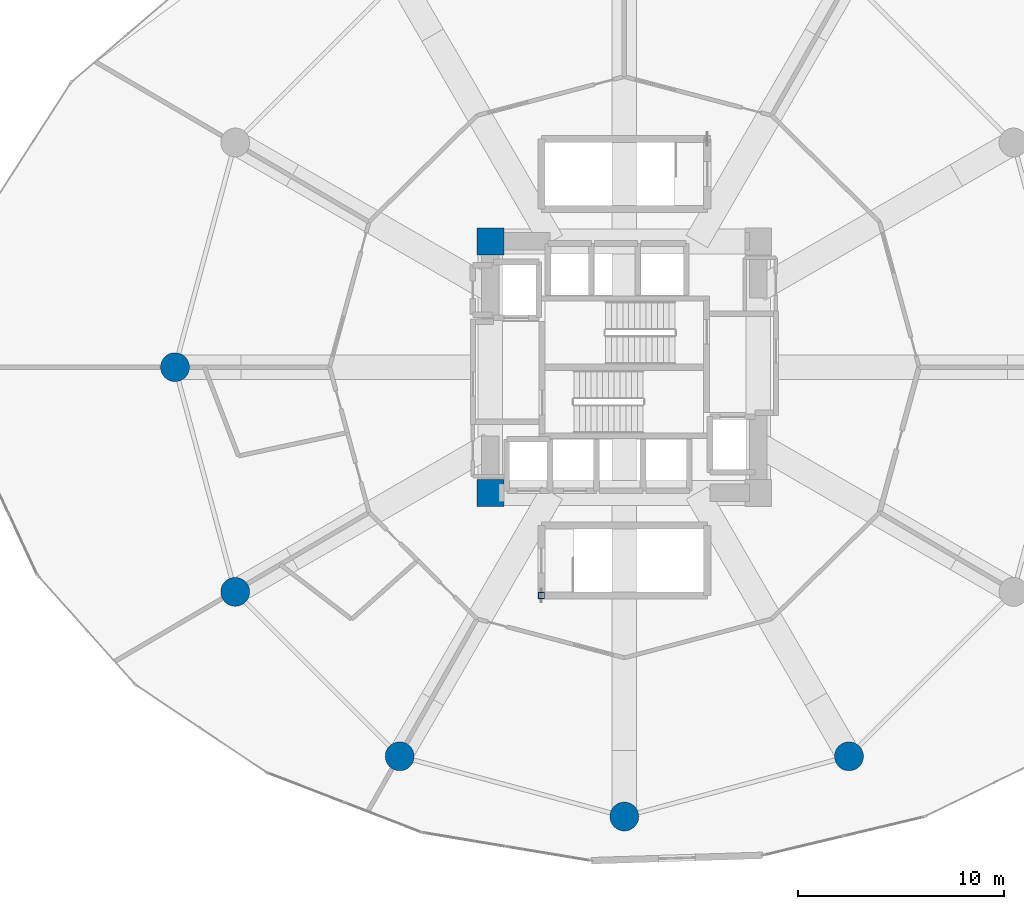
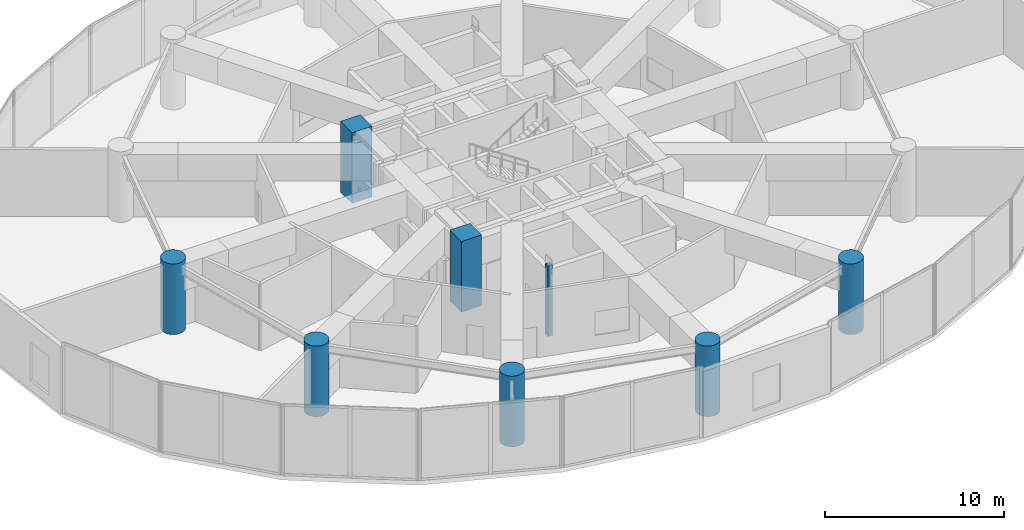
# One storey, part 1 of 27: 8 columns.
"""IFC4 building model written with IfcOpenShell, lengths in metres."""

from ifc_helpers import new_model, si_unit, direction, frame, origin, origin_2d, place, context, subcontext, project, spatial, rectangle, hollow_rectangle, circle, extrude, material, material_profile, profile_set, type_object, element, save


model = new_model("IFC4")

# Units and contexts
model_context = context("Model", 3, precision=1e-05, world=origin(), true_north=direction((0.0, 1.0)))
body_context = subcontext(model_context, "Body", "Model", "MODEL_VIEW")
ifc_project = project(units=[si_unit("LENGTHUNIT", "METRE"), si_unit("AREAUNIT", "SQUARE_METRE"), si_unit("VOLUMEUNIT", "CUBIC_METRE"), si_unit("PLANEANGLEUNIT", "RADIAN"), si_unit("MASSUNIT", "GRAM", prefix="KILO")], contexts=[model_context])

# Site, building, storey
site_placement = place(None, origin())
site = spatial("IfcSite", under=ifc_project, at=site_placement, CompositionType="ELEMENT")
building_placement = place(site_placement, origin())
building = spatial("IfcBuilding", under=site, at=building_placement, Name="Solvirekh Grand Hotel", CompositionType="ELEMENT")
storey_placement = place(building_placement, frame((0.0, 0.0, 23.60009765625)))
storey = spatial("IfcBuildingStorey", under=building, at=storey_placement, Name="L04", CompositionType="ELEMENT", Elevation=23.60009765625)

# Columns
ifc_material_1 = material(Name="Concrete C60/75", Category="concrete")
ifc_material_profile_1 = material_profile(ifc_material_1, circle(Radius=0.699951171875, at=origin_2d()), Name="RC CIRC D1400")
ifc_profile_set_1 = profile_set([ifc_material_profile_1], Name="Concrete C60/75")
column_type_1 = type_object("IfcColumnType", Name="Col_Base_D1400", PredefinedType="COLUMN", material=ifc_profile_set_1)
for number, where, z_axis, x_axis, name in (
    (1, (-21.800048828125, 0.0, 0.0), (0.0, 0.0, 1.0), (1.0, 0.0, 0.0), "L04 perimeter column P07"),
    (2, (-18.87890625, -10.89990234375, 0.0), (0.0, 0.0, 1.0), (1.0, 0.0, 0.0), "L04 perimeter column P08"),
    (3, (-10.89990234375, -18.87890625, 0.0), (0.0, 0.0, 1.0), (1.0, 0.0, 0.0), "L04 perimeter column P09"),
    (4, (0.0, -21.800048828125, 0.0), (0.0, 0.0, 1.0), (1.0, 0.0, 0.0), "L04 perimeter column P10"),
    (5, (10.89990234375, -18.87890625, 0.0), (0.0, 0.0, 1.0), (1.0, 0.0, 0.0), "L04 perimeter column P11"),
):
    element("IfcColumn", number, at=place(storey_placement, frame(where, z_axis=z_axis, x_axis=x_axis)), inside=storey, type_object=column_type_1, Name=name, PredefinedType="COLUMN", context=body_context, shape_type="SweptSolid", body=[
        extrude(circle(Radius=0.699951171875, at=origin_2d()), origin(), (0.0, 0.0, 1.0), 4.7998046875),
    ])
ifc_material_profile_2 = material_profile(ifc_material_1, rectangle(XDim=1.300048828125, YDim=1.300048828125, at=origin_2d()), Name="RC 1300X1300")
ifc_profile_set_2 = profile_set([ifc_material_profile_2], Name="Concrete C60/75")
column_type_2 = type_object("IfcColumnType", Name="Col_Core_1300", PredefinedType="COLUMN", material=ifc_profile_set_2)
for number, where, z_axis, x_axis, name in (
    (6, (-6.5, -6.10009765625, 0.0), (0.0, 0.0, 1.0), (1.0, 0.0, 0.0), "L04 core corner column CC1"),
    (7, (-6.5, 6.10009765625, 0.0), (0.0, 0.0, 1.0), (1.0, 0.0, 0.0), "L04 core corner column CC4"),
):
    element("IfcColumn", number, at=place(storey_placement, frame(where, z_axis=z_axis, x_axis=x_axis)), inside=storey, type_object=column_type_2, Name=name, PredefinedType="COLUMN", context=body_context, shape_type="SweptSolid", body=[
        extrude(rectangle(XDim=1.300048828125, YDim=1.300048828125, at=origin_2d()), origin(), (0.0, 0.0, 1.0), 4.7998046875),
    ])
ifc_material_2 = material(Name="Steel S355", Category="steel")
ifc_material_profile_3 = material_profile(ifc_material_2, hollow_rectangle(XDim=0.300048828125, YDim=0.300048828125, WallThickness=0.01611328125, at=origin_2d()), Name="SHS 300X300X16")
ifc_profile_set_3 = profile_set([ifc_material_profile_3], Name="Steel S355")
column_type_3 = type_object("IfcColumnType", Name="Col_Pod_SHS300", PredefinedType="COLUMN", material=ifc_profile_set_3)
column_placement = place(storey_placement, frame((-4.02490234375, -11.074951171875, 0.0), z_axis=(0.0, 0.0, 1.0), x_axis=(1.0, 0.0, 0.0)))
element("IfcColumn", 8, at=column_placement, inside=storey, type_object=column_type_3, Name="L04 podium stair enclosure post 1", PredefinedType="COLUMN", context=body_context, shape_type="SweptSolid", body=[
    extrude(hollow_rectangle(XDim=0.300048828125, YDim=0.300048828125, WallThickness=0.01611328125, at=origin_2d()), origin(), (0.0, 0.0, 1.0), 4.7998046875),
])

save(model, "model.ifc")
